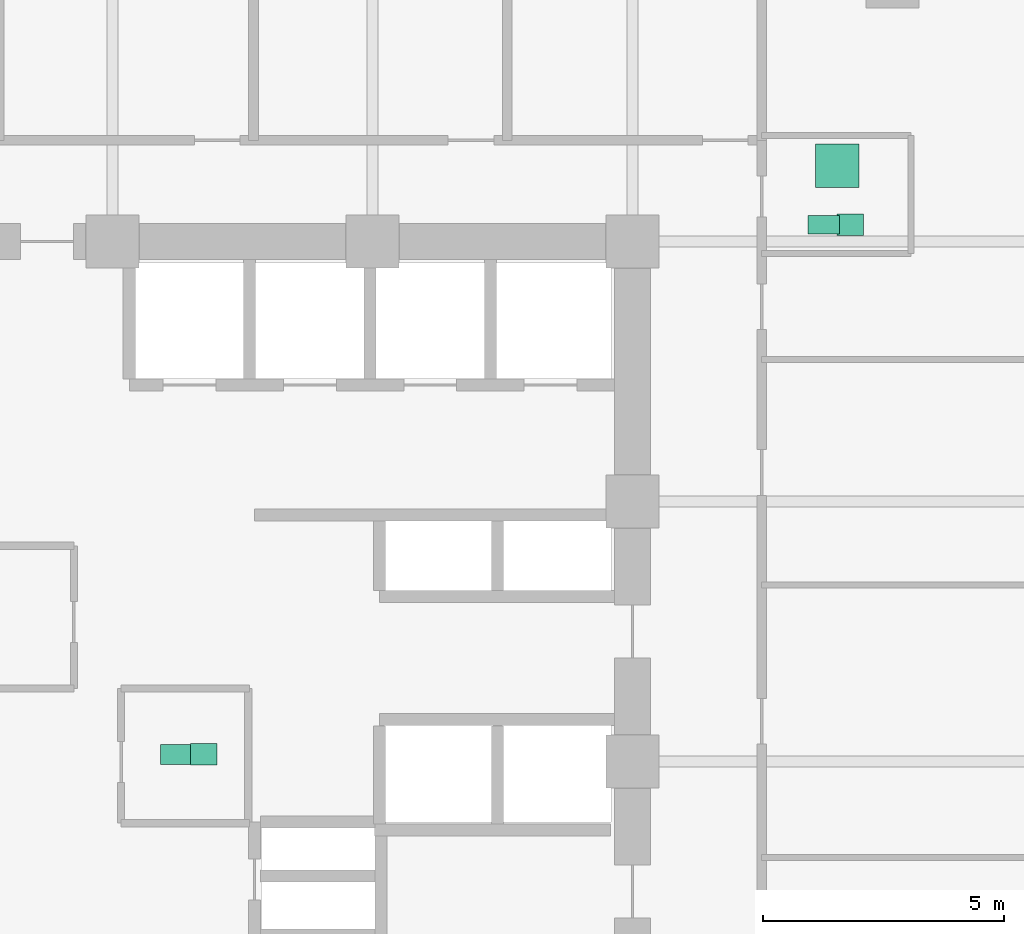
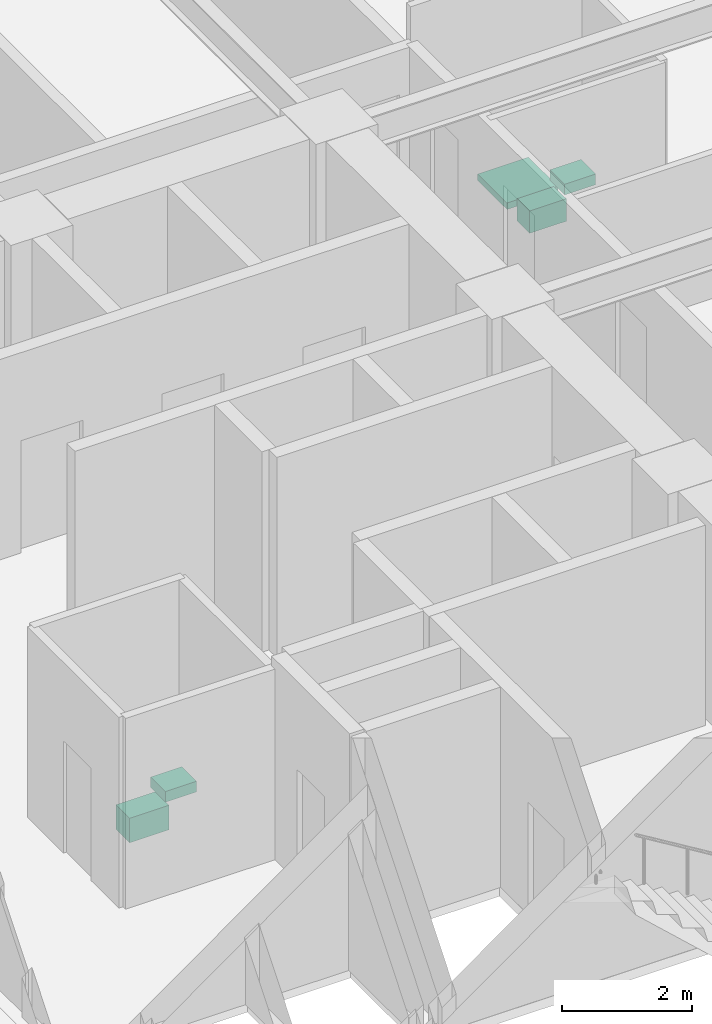
# One storey, part 25 of 25: 5 sanitary terminals.
"""IFC4 building model written with IfcOpenShell, lengths in metres."""

from ifc_helpers import new_model, si_unit, direction, frame, origin, origin_2d, place, context, subcontext, project, spatial, rectangle, extrude, material, type_object, element, save


model = new_model("IFC4")

# Units and contexts
model_context = context("Model", 3, precision=1e-05, world=origin(), true_north=direction((0.0, 1.0)))
body_context = subcontext(model_context, "Body", "Model", "MODEL_VIEW")
ifc_project = project(units=[si_unit("LENGTHUNIT", "METRE"), si_unit("AREAUNIT", "SQUARE_METRE"), si_unit("VOLUMEUNIT", "CUBIC_METRE"), si_unit("PLANEANGLEUNIT", "RADIAN"), si_unit("MASSUNIT", "GRAM", prefix="KILO")], contexts=[model_context])

# Site, building, storey
site_placement = place(None, origin())
site = spatial("IfcSite", under=ifc_project, at=site_placement, CompositionType="ELEMENT")
building_placement = place(site_placement, origin())
building = spatial("IfcBuilding", under=site, at=building_placement, Name="Surkhivell Harbour Commons", CompositionType="ELEMENT")
storey_placement = place(building_placement, frame((0.0, 0.0, 124.5)))
storey = spatial("IfcBuildingStorey", under=building, at=storey_placement, Name="L32", CompositionType="ELEMENT", Elevation=124.5)

# Sanitary terminals
ifc_material_1 = material(Name="Vitreous china washbasin", Category="other")
sanitary_terminal_type_1 = type_object("IfcSanitaryTerminalType", Name="SAN-BSN", PredefinedType="WASHHANDBASIN", material=ifc_material_1)
for number, where, z_axis, x_axis, name in (
    (1, (1.89990234375, 0.14990234375, 0.72021484375), (0.0, 0.0, 1.0), (1.0, 0.0, 0.0), "L32 Core Accessible WC Washbasin"),
    (2, (15.320068359375, 11.14990234375, 0.72021484375), (0.0, 0.0, 1.0), (1.0, 0.0, 0.0), "L32 East Communal Bathroom WC Washbasin"),
):
    element("IfcSanitaryTerminal", number, at=place(storey_placement, frame(where, z_axis=z_axis, x_axis=x_axis)), inside=storey, type_object=sanitary_terminal_type_1, Name=name, PredefinedType="WASHHANDBASIN", context=body_context, shape_type="SweptSolid", body=[
        extrude(rectangle(XDim=0.550048828125, YDim=0.449951171875, at=origin_2d()), origin(), (0.0, 0.0, 1.0), 0.199951171875),
    ])
ifc_material_2 = material(Name="Glazed porcelain shower tray", Category="other")
sanitary_terminal_type_2 = type_object("IfcSanitaryTerminalType", Name="SAN-SHW", PredefinedType="SHOWER", material=ifc_material_2)
sanitary_terminal_1_placement = place(storey_placement, frame((15.050048828125, 12.3701171875, 0.0), z_axis=(0.0, 0.0, 1.0), x_axis=(1.0, 0.0, 0.0)))
element("IfcSanitaryTerminal", 3, at=sanitary_terminal_1_placement, inside=storey, type_object=sanitary_terminal_type_2, Name="L32 East Communal Shower Tray", PredefinedType="SHOWER", context=body_context, shape_type="SweptSolid", body=[
    extrude(rectangle(XDim=0.89990234375, YDim=0.89990234375, at=origin_2d()), origin(), (0.0, 0.0, 1.0), 0.1201171875),
])
ifc_material_3 = material(Name="Vitreous china sanitaryware", Category="other")
sanitary_terminal_type_3 = type_object("IfcSanitaryTerminalType", Name="SAN-WC-ACC", PredefinedType="TOILETPAN", material=ifc_material_3)
sanitary_terminal_2_placement = place(storey_placement, frame((1.35009765625, 0.14990234375, 0.169921875), z_axis=(0.0, 0.0, 1.0), x_axis=(1.0, 0.0, 0.0)))
element("IfcSanitaryTerminal", 4, at=sanitary_terminal_2_placement, inside=storey, type_object=sanitary_terminal_type_3, Name="L32 Core Accessible WC", PredefinedType="TOILETPAN", context=body_context, shape_type="SweptSolid", body=[
    extrude(rectangle(XDim=0.699951171875, YDim=0.419921875, at=origin_2d()), origin(), (0.0, 0.0, 1.0), 0.4599609375),
])
sanitary_terminal_type_4 = type_object("IfcSanitaryTerminalType", Name="SAN-WC-STD", PredefinedType="TOILETPAN", material=ifc_material_3)
sanitary_terminal_3_placement = place(storey_placement, frame((14.77001953125, 11.14990234375, 0.18994140625), z_axis=(0.0, 0.0, 1.0), x_axis=(1.0, 0.0, 0.0)))
element("IfcSanitaryTerminal", 5, at=sanitary_terminal_3_placement, inside=storey, type_object=sanitary_terminal_type_4, Name="L32 East Communal Bathroom WC", PredefinedType="TOILETPAN", context=body_context, shape_type="SweptSolid", body=[
    extrude(rectangle(XDim=0.64990234375, YDim=0.3798828125, at=origin_2d()), origin(), (0.0, 0.0, 1.0), 0.419921875),
])

save(model, "model.ifc")
